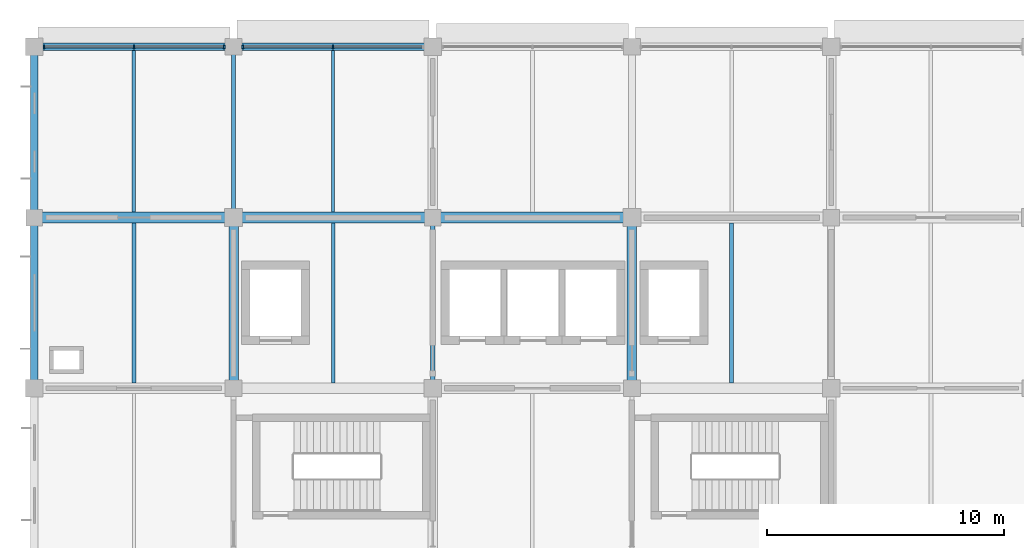
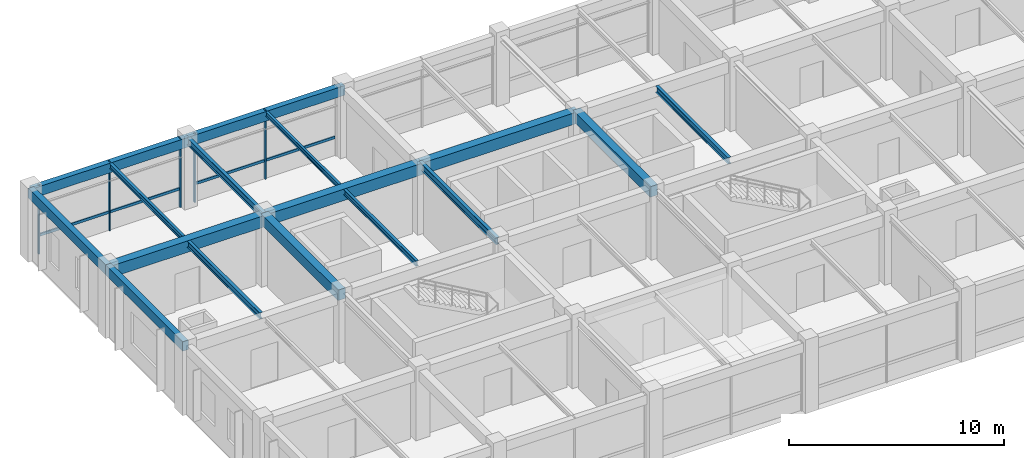
# One storey, part 4 of 13: 16 beams, 9 members, 2 elements without a shape of their own.
"""IFC4 building model written with IfcOpenShell, lengths in metres."""

from ifc_helpers import new_model, si_unit, derived_unit, direction, frame, origin, origin_2d, place, context, subcontext, project, spatial, rectangle, i_section, extrude, material, material_profile, profile_set, type_object, element, aggregate, save


model = new_model("IFC4")

# Units and contexts
model_context = context("Model", 3, precision=1e-05, world=origin(), true_north=direction((0.0, 1.0)))
body_context = subcontext(model_context, "Body", "Model", "MODEL_VIEW")
ifc_project = project(units=[si_unit("LENGTHUNIT", "METRE"), si_unit("AREAUNIT", "SQUARE_METRE"), si_unit("VOLUMEUNIT", "CUBIC_METRE"), si_unit("PLANEANGLEUNIT", "RADIAN"), si_unit("MASSUNIT", "GRAM", prefix="KILO"), derived_unit("THERMALTRANSMITTANCEUNIT", [(si_unit("MASSUNIT", "GRAM", prefix="KILO"), 1), (si_unit("TIMEUNIT", "SECOND"), -3), (si_unit("THERMODYNAMICTEMPERATUREUNIT", "KELVIN"), -1)])], contexts=[model_context])

# Site, building, storey
site_placement = place(None, origin())
site = spatial("IfcSite", under=ifc_project, at=site_placement, CompositionType="ELEMENT")
building_placement = place(site_placement, origin())
building = spatial("IfcBuilding", under=site, at=building_placement, Name="Veldstrom Oceanarium and Marine Research Institute", CompositionType="ELEMENT")
storey_placement = place(building_placement, frame((0.0, 0.0, 31.199951171875)))
storey = spatial("IfcBuildingStorey", under=building, at=storey_placement, Name="L06", CompositionType="ELEMENT", Elevation=31.199951171875)

# Curtain wall, members
ifc_material_1 = material(Name="Anodised Aluminium Framing", Category="aluminium")
curtain_wall_type = type_object("IfcCurtainWallType", Name="ARC-CW-CW04", PredefinedType="USERDEFINED", material=ifc_material_1)
curtain_wall_1_placement = place(storey_placement, origin())
curtain_wall_1 = element("IfcCurtainWall", 1, at=curtain_wall_1_placement, inside=storey, type_object=curtain_wall_type, Name="Curtain Wall CW04 CW-L06-101", ObjectType="Curtain wall", PredefinedType="USERDEFINED")
ifc_material_2 = material(Name="Anodised Aluminium Framing", Category="aluminium")
ifc_material_profile_1 = material_profile(ifc_material_2, rectangle(XDim=0.06494140625, YDim=0.14990234375, at=origin_2d()), Name="ALU-MUL-65x150")
ifc_profile_set_1 = profile_set([ifc_material_profile_1], Name="Anodised Aluminium Framing")
member_type_1 = type_object("IfcMemberType", Name="ARC-MUL-ML2", PredefinedType="MULLION", material=ifc_profile_set_1)
member_1_placement = place(storey_placement, frame((67.614990234375, 72.0, 0.0), z_axis=(0.0, 0.0, 1.0), x_axis=(1.0, 0.0, 0.0)))
member_1 = element("IfcMember", 2, at=member_1_placement, type_object=member_type_1, Name="Curtain Wall Mullion CW-L06-101-MUL-1", PredefinedType="MULLION", context=body_context, shape_type="SweptSolid", body=[
    extrude(rectangle(XDim=0.06494140625, YDim=0.14990234375, at=origin_2d()), origin(), (0.0, 0.0, 1.0), 3.920166015625),
])
member_2_placement = place(storey_placement, frame((71.41259765625, 72.0, 0.0), z_axis=(0.0, 0.0, 1.0), x_axis=(1.0, 0.0, 0.0)))
member_2 = element("IfcMember", 3, at=member_2_placement, type_object=member_type_1, Name="Curtain Wall Mullion CW-L06-101-MUL-2", PredefinedType="MULLION", context=body_context, shape_type="SweptSolid", body=[
    extrude(rectangle(XDim=0.06494140625, YDim=0.14990234375, at=origin_2d()), origin(), (0.0, 0.0, 1.0), 3.920166015625),
])
member_3_placement = place(storey_placement, frame((75.2099609375, 72.0, 0.0), z_axis=(0.0, 0.0, 1.0), x_axis=(1.0, 0.0, 0.0)))
member_3 = element("IfcMember", 4, at=member_3_placement, type_object=member_type_1, Name="Curtain Wall Mullion CW-L06-101-MUL-3", PredefinedType="MULLION", context=body_context, shape_type="SweptSolid", body=[
    extrude(rectangle(XDim=0.06494140625, YDim=0.14990234375, at=origin_2d()), origin(), (0.0, 0.0, 1.0), 3.920166015625),
])

curtain_wall_2_placement = place(storey_placement, origin())
curtain_wall_2 = element("IfcCurtainWall", 5, at=curtain_wall_2_placement, inside=storey, type_object=curtain_wall_type, Name="Curtain Wall CW04 CW-L06-103", ObjectType="Curtain wall", PredefinedType="USERDEFINED")
member_4_placement = place(storey_placement, frame((75.989990234375, 72.0, 0.0), z_axis=(0.0, 0.0, 1.0), x_axis=(1.0, 0.0, 0.0)))
member_4 = element("IfcMember", 6, at=member_4_placement, type_object=member_type_1, Name="Curtain Wall Mullion CW-L06-103-MUL-1", PredefinedType="MULLION", context=body_context, shape_type="SweptSolid", body=[
    extrude(rectangle(XDim=0.06494140625, YDim=0.14990234375, at=origin_2d()), origin(), (0.0, 0.0, 1.0), 3.920166015625),
])
member_5_placement = place(storey_placement, frame((79.78759765625, 72.0, 0.0), z_axis=(0.0, 0.0, 1.0), x_axis=(1.0, 0.0, 0.0)))
member_5 = element("IfcMember", 7, at=member_5_placement, type_object=member_type_1, Name="Curtain Wall Mullion CW-L06-103-MUL-2", PredefinedType="MULLION", context=body_context, shape_type="SweptSolid", body=[
    extrude(rectangle(XDim=0.06494140625, YDim=0.14990234375, at=origin_2d()), origin(), (0.0, 0.0, 1.0), 3.920166015625),
])

# Member
ifc_material_3 = material(Name="Anodised Aluminium Framing", Category="aluminium")
ifc_material_profile_2 = material_profile(ifc_material_3, rectangle(XDim=0.074951171875, YDim=0.14990234375, at=origin_2d()), Name="ALU-TRN-75x150")
ifc_profile_set_2 = profile_set([ifc_material_profile_2], Name="Anodised Aluminium Framing")
member_type_2 = type_object("IfcMemberType", Name="ARC-TRN-TR1", PredefinedType="USERDEFINED", material=ifc_profile_set_2)
member_6_placement = place(storey_placement, frame((67.655029296875, 72.0, 1.050048828125), z_axis=(1.0, 0.0, 0.0), x_axis=(0.0, 1.0, 0.0)))
member_6 = element("IfcMember", 8, at=member_6_placement, type_object=member_type_2, Name="Curtain Wall Transom CW-L06-101-TRN-1", ObjectType="Transom", PredefinedType="USERDEFINED", context=body_context, shape_type="SweptSolid", body=[
    extrude(rectangle(XDim=0.074951171875, YDim=0.14990234375, at=origin_2d()), origin(), (0.0, 0.0, 1.0), 3.717529296875),
])

member_7_placement = place(storey_placement, frame((71.452392578125, 72.0, 1.050048828125), z_axis=(1.0, 0.0, 0.0), x_axis=(0.0, 1.0, 0.0)))
member_7 = element("IfcMember", 9, at=member_7_placement, type_object=member_type_2, Name="Curtain Wall Transom CW-L06-101-TRN-2", ObjectType="Transom", PredefinedType="USERDEFINED", context=body_context, shape_type="SweptSolid", body=[
    extrude(rectangle(XDim=0.074951171875, YDim=0.14990234375, at=origin_2d()), origin(), (0.0, 0.0, 1.0), 3.717529296875),
])

aggregate(curtain_wall_1, [member_1, member_2, member_3, member_6, member_7])

member_8_placement = place(storey_placement, frame((76.030029296875, 72.0, 1.050048828125), z_axis=(1.0, 0.0, 0.0), x_axis=(0.0, 1.0, 0.0)))
member_8 = element("IfcMember", 10, at=member_8_placement, type_object=member_type_2, Name="Curtain Wall Transom CW-L06-103-TRN-1", ObjectType="Transom", PredefinedType="USERDEFINED", context=body_context, shape_type="SweptSolid", body=[
    extrude(rectangle(XDim=0.074951171875, YDim=0.14990234375, at=origin_2d()), origin(), (0.0, 0.0, 1.0), 3.717529296875),
])

member_9_placement = place(storey_placement, frame((79.827392578125, 72.0, 1.050048828125), z_axis=(1.0, 0.0, 0.0), x_axis=(0.0, 1.0, 0.0)))
member_9 = element("IfcMember", 11, at=member_9_placement, type_object=member_type_2, Name="Curtain Wall Transom CW-L06-103-TRN-2", ObjectType="Transom", PredefinedType="USERDEFINED", context=body_context, shape_type="SweptSolid", body=[
    extrude(rectangle(XDim=0.074951171875, YDim=0.14990234375, at=origin_2d()), origin(), (0.0, 0.0, 1.0), 3.717529296875),
])

aggregate(curtain_wall_2, [member_4, member_5, member_8, member_9])

# Beams
ifc_material_4 = material(Name="Concrete C40/50", Category="concrete")
ifc_material_profile_3 = material_profile(ifc_material_4, rectangle(XDim=0.449951171875, YDim=0.64990234375, at=origin_2d()), Name="RC-BM-450x650")
ifc_profile_set_3 = profile_set([ifc_material_profile_3], Name="Concrete C40/50")
beam_type_1 = type_object("IfcBeamType", Name="STR-BM-B05", PredefinedType="BEAM", material=ifc_profile_set_3)
beam_1_placement = place(storey_placement, frame((67.199951171875, 64.800048828125, 3.590087890625), z_axis=(1.0, 0.0, 0.0), x_axis=(0.0, 1.0, 0.0)))
element("IfcBeam", 12, at=beam_1_placement, inside=storey, type_object=beam_type_1, Name="Primary Beam B05 L06-2256", PredefinedType="BEAM", context=body_context, shape_type="SweptSolid", body=[
    extrude(rectangle(XDim=0.449951171875, YDim=0.64990234375, at=origin_2d()), origin(), (0.0, 0.0, 1.0), 8.400146484375),
])
for number, where, z_axis, x_axis, name in (
    (13, (75.60009765625, 64.800048828125, 3.590087890625), (1.0, 0.0, 0.0), (0.0, 1.0, 0.0), "Primary Beam B05 L06-2261"),
    (14, (84.0, 64.800048828125, 3.590087890625), (1.0, 0.0, 0.0), (0.0, 1.0, 0.0), "Primary Beam B05 L06-2266"),
):
    element("IfcBeam", number, at=place(storey_placement, frame(where, z_axis=z_axis, x_axis=x_axis)), inside=storey, type_object=beam_type_1, Name=name, PredefinedType="BEAM", context=body_context, shape_type="SweptSolid", body=[
        extrude(rectangle(XDim=0.449951171875, YDim=0.64990234375, at=origin_2d()), origin(), (0.0, 0.0, 1.0), 8.39990234375),
    ])
ifc_material_5 = material(Name="Concrete C40/50", Category="concrete")
ifc_material_profile_4 = material_profile(ifc_material_5, rectangle(XDim=0.39990234375, YDim=0.60009765625, at=origin_2d()), Name="RC-BM-400x600")
ifc_profile_set_4 = profile_set([ifc_material_profile_4], Name="Concrete C40/50")
beam_type_2 = type_object("IfcBeamType", Name="STR-BM-B06", PredefinedType="BEAM", material=ifc_profile_set_4)
for number, where, z_axis, x_axis, name in (
    (15, (75.60009765625, 57.60009765625, 3.614990234375), (0.0, 1.0, 0.0), (-1.0, 0.0, 0.0), "Primary Beam B06 L06-2289"),
    (16, (92.39990234375, 57.60009765625, 3.614990234375), (0.0, 1.0, 0.0), (-1.0, 0.0, 0.0), "Primary Beam B06 L06-2297"),
):
    element("IfcBeam", number, at=place(storey_placement, frame(where, z_axis=z_axis, x_axis=x_axis)), inside=storey, type_object=beam_type_2, Name=name, PredefinedType="BEAM", context=body_context, shape_type="SweptSolid", body=[
        extrude(rectangle(XDim=0.39990234375, YDim=0.60009765625, at=origin_2d()), origin(), (0.0, 0.0, 1.0), 7.199951171875),
    ])
ifc_material_6 = material(Name="Steel S355JR", Category="steel")
ifc_material_profile_5 = material_profile(ifc_material_6, i_section(OverallWidth=0.179931640625, OverallDepth=0.39990234375, WebThickness=0.008544921875, FlangeThickness=0.013427734375, FilletRadius=0.02099609375, at=origin_2d()), Name="IPE 400")
ifc_profile_set_5 = profile_set([ifc_material_profile_5], Name="Steel S355JR")
beam_type_3 = type_object("IfcBeamType", Name="STR-BM-SB8", PredefinedType="BEAM", material=ifc_profile_set_5)
for number, where, z_axis, x_axis, name in (
    (17, (75.60009765625, 64.800048828125, 3.715087890625), (0.0, 1.0, 0.0), (-1.0, 0.0, 0.0), "Steel Tie Beam SB8 L06-2290"),
    (18, (84.0, 57.60009765625, 3.715087890625), (0.0, 1.0, 0.0), (-1.0, 0.0, 0.0), "Steel Tie Beam SB8 L06-2293"),
):
    element("IfcBeam", number, at=place(storey_placement, frame(where, z_axis=z_axis, x_axis=x_axis)), inside=storey, type_object=beam_type_3, Name=name, PredefinedType="BEAM", context=body_context, shape_type="SweptSolid", body=[
        extrude(i_section(OverallWidth=0.179931640625, OverallDepth=0.39990234375, WebThickness=0.008544921875, FlangeThickness=0.013427734375, FilletRadius=0.02099609375, at=origin_2d()), origin(), (0.0, 0.0, 1.0), 7.199951171875),
    ])
ifc_material_7 = material(Name="Steel S355JR", Category="steel")
ifc_material_profile_6 = material_profile(ifc_material_7, i_section(OverallWidth=0.169921875, OverallDepth=0.360107421875, WebThickness=0.008056640625, FlangeThickness=0.0126953125, FilletRadius=0.01806640625, at=origin_2d()), Name="IPE 360")
ifc_profile_set_6 = profile_set([ifc_material_profile_6], Name="Steel S355JR")
beam_type_4 = type_object("IfcBeamType", Name="STR-JST-SJ1", PredefinedType="JOIST", material=ifc_profile_set_6)
for number, where, z_axis, x_axis, name in (
    (19, (71.39990234375, 57.824951171875, 3.735107421875), (0.0, 1.0, 0.0), (-1.0, 0.0, 0.0), "Secondary Joist SJ1 L06-2313"),
    (20, (96.60009765625, 57.824951171875, 3.735107421875), (0.0, 1.0, 0.0), (-1.0, 0.0, 0.0), "Secondary Joist SJ1 L06-2322"),
):
    element("IfcBeam", number, at=place(storey_placement, frame(where, z_axis=z_axis, x_axis=x_axis)), inside=storey, type_object=beam_type_4, Name=name, PredefinedType="JOIST", context=body_context, shape_type="SweptSolid", body=[
        extrude(i_section(OverallWidth=0.169921875, OverallDepth=0.360107421875, WebThickness=0.008056640625, FlangeThickness=0.0126953125, FilletRadius=0.01806640625, at=origin_2d()), origin(), (0.0, 0.0, 1.0), 6.75),
    ])
ifc_material_8 = material(Name="Steel S355JR", Category="steel")
ifc_material_profile_7 = material_profile(ifc_material_8, i_section(OverallWidth=0.14990234375, OverallDepth=0.300048828125, WebThickness=0.007080078125, FlangeThickness=0.0107421875, FilletRadius=0.014892578125, at=origin_2d()), Name="IPE 300")
ifc_profile_set_7 = profile_set([ifc_material_profile_7], Name="Steel S355JR")
beam_type_5 = type_object("IfcBeamType", Name="STR-JST-SJ2", PredefinedType="JOIST", material=ifc_profile_set_7)
beam_2_placement = place(storey_placement, frame((71.39990234375, 65.02490234375, 3.76513671875), z_axis=(0.0, 1.0, 0.0), x_axis=(-1.0, 0.0, 0.0)))
element("IfcBeam", 21, at=beam_2_placement, inside=storey, type_object=beam_type_5, Name="Secondary Joist SJ2 L06-2314", PredefinedType="JOIST", context=body_context, shape_type="SweptSolid", body=[
    extrude(i_section(OverallWidth=0.14990234375, OverallDepth=0.300048828125, WebThickness=0.007080078125, FlangeThickness=0.0107421875, FilletRadius=0.014892578125, at=origin_2d()), origin(), (0.0, 0.0, 1.0), 6.8251953125),
])
beam_3_placement = place(storey_placement, frame((79.800048828125, 57.824951171875, 3.76513671875), z_axis=(0.0, 1.0, 0.0), x_axis=(-1.0, 0.0, 0.0)))
element("IfcBeam", 22, at=beam_3_placement, inside=storey, type_object=beam_type_5, Name="Secondary Joist SJ2 L06-2316", PredefinedType="JOIST", context=body_context, shape_type="SweptSolid", body=[
    extrude(i_section(OverallWidth=0.14990234375, OverallDepth=0.300048828125, WebThickness=0.007080078125, FlangeThickness=0.0107421875, FilletRadius=0.014892578125, at=origin_2d()), origin(), (0.0, 0.0, 1.0), 6.75),
])
ifc_material_9 = material(Name="Steel S355JR", Category="steel")
ifc_material_profile_8 = material_profile(ifc_material_9, i_section(OverallWidth=0.135009765625, OverallDepth=0.27001953125, WebThickness=0.006591796875, FlangeThickness=0.01025390625, FilletRadius=0.014892578125, at=origin_2d()), Name="IPE 270")
ifc_profile_set_8 = profile_set([ifc_material_profile_8], Name="Steel S355JR")
beam_type_6 = type_object("IfcBeamType", Name="STR-JST-SJ3", PredefinedType="JOIST", material=ifc_profile_set_8)
beam_4_placement = place(storey_placement, frame((79.800048828125, 65.02490234375, 3.780029296875), z_axis=(0.0, 1.0, 0.0), x_axis=(-1.0, 0.0, 0.0)))
element("IfcBeam", 23, at=beam_4_placement, inside=storey, type_object=beam_type_6, Name="Secondary Joist SJ3 L06-2317", PredefinedType="JOIST", context=body_context, shape_type="SweptSolid", body=[
    extrude(i_section(OverallWidth=0.135009765625, OverallDepth=0.27001953125, WebThickness=0.006591796875, FlangeThickness=0.01025390625, FilletRadius=0.014892578125, at=origin_2d()), origin(), (0.0, 0.0, 1.0), 6.8251953125),
])
ifc_material_10 = material(Name="Concrete C40/50", Category="concrete")
ifc_material_profile_9 = material_profile(ifc_material_10, rectangle(XDim=0.300048828125, YDim=0.550048828125, at=origin_2d()), Name="RC-SPN-300x550")
ifc_profile_set_9 = profile_set([ifc_material_profile_9], Name="Concrete C40/50")
beam_type_7 = type_object("IfcBeamType", Name="STR-SPN-SP2", PredefinedType="SPANDREL", material=ifc_profile_set_9)
beam_5_placement = place(storey_placement, frame((67.199951171875, 72.0, 3.64013671875), z_axis=(1.0, 0.0, 0.0), x_axis=(0.0, 1.0, 0.0)))
element("IfcBeam", 24, at=beam_5_placement, inside=storey, type_object=beam_type_7, Name="Perimeter Spandrel SPB2 L06-2257", PredefinedType="SPANDREL", context=body_context, shape_type="SweptSolid", body=[
    extrude(rectangle(XDim=0.300048828125, YDim=0.550048828125, at=origin_2d()), origin(), (0.0, 0.0, 1.0), 8.400146484375),
])
beam_6_placement = place(storey_placement, frame((75.60009765625, 72.0, 3.64013671875), z_axis=(1.0, 0.0, 0.0), x_axis=(0.0, 1.0, 0.0)))
element("IfcBeam", 25, at=beam_6_placement, inside=storey, type_object=beam_type_7, Name="Perimeter Spandrel SPB2 L06-2262", PredefinedType="SPANDREL", context=body_context, shape_type="SweptSolid", body=[
    extrude(rectangle(XDim=0.300048828125, YDim=0.550048828125, at=origin_2d()), origin(), (0.0, 0.0, 1.0), 8.39990234375),
])
for number, where, z_axis, x_axis, name in (
    (26, (67.199951171875, 57.60009765625, 3.64013671875), (0.0, 1.0, 0.0), (-1.0, 0.0, 0.0), "Perimeter Spandrel SPB2 L06-2285"),
    (27, (67.199951171875, 64.800048828125, 3.64013671875), (0.0, 1.0, 0.0), (-1.0, 0.0, 0.0), "Perimeter Spandrel SPB2 L06-2286"),
):
    element("IfcBeam", number, at=place(storey_placement, frame(where, z_axis=z_axis, x_axis=x_axis)), inside=storey, type_object=beam_type_7, Name=name, PredefinedType="SPANDREL", context=body_context, shape_type="SweptSolid", body=[
        extrude(rectangle(XDim=0.300048828125, YDim=0.550048828125, at=origin_2d()), origin(), (0.0, 0.0, 1.0), 7.199951171875),
    ])

save(model, "model.ifc")
